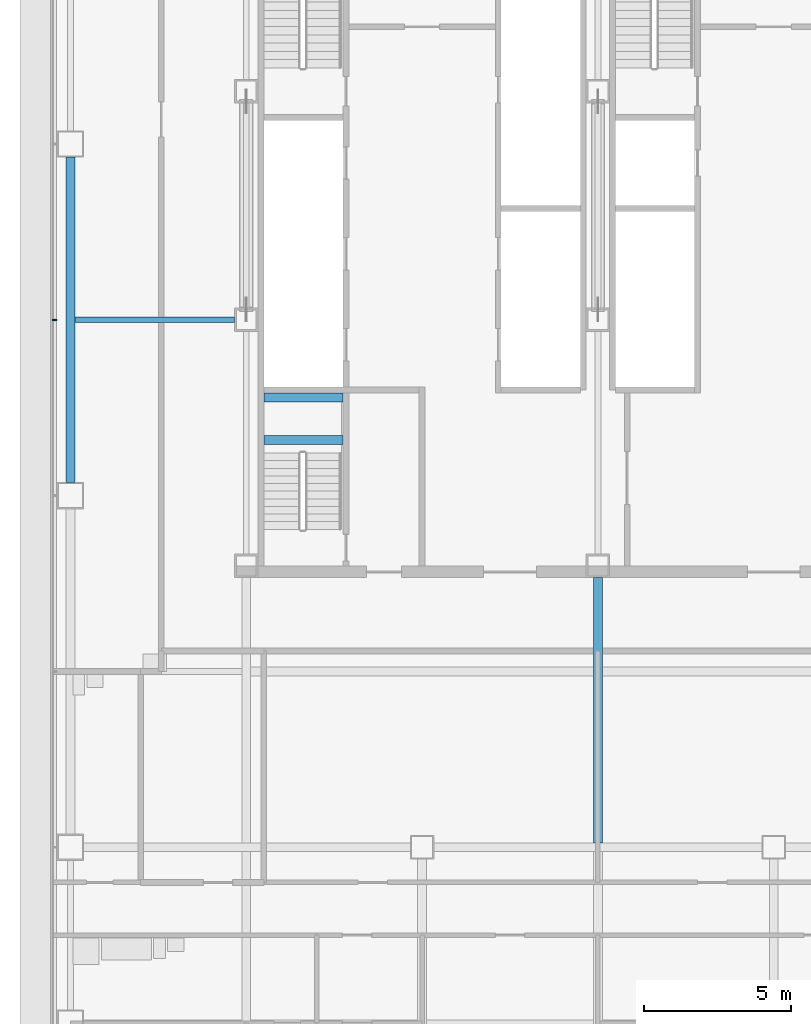
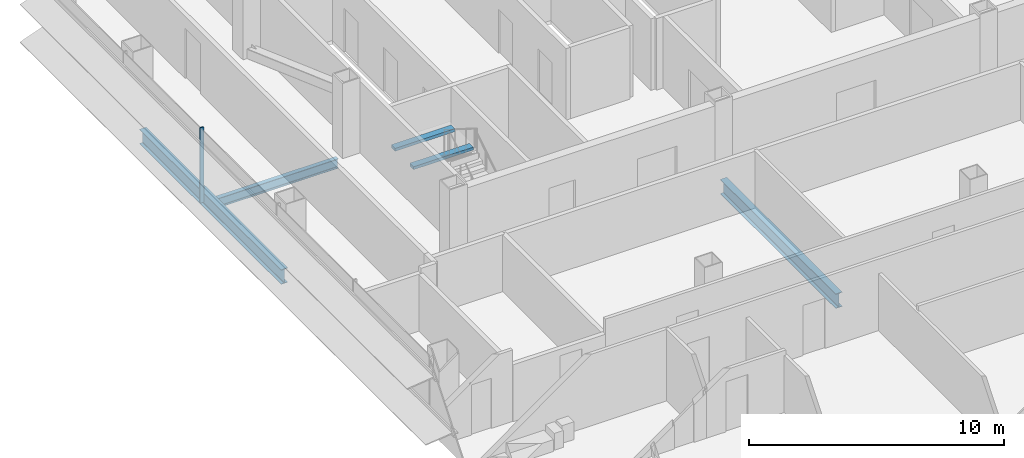
# One storey, part 6 of 27: 5 beams, 1 member, 1 element without a shape of its own.
"""IFC4 building model written with IfcOpenShell, lengths in metres."""

from ifc_helpers import new_model, si_unit, direction, frame, origin, origin_2d, place, context, subcontext, project, spatial, rectangle, i_section, extrude, material, material_profile, profile_set, type_object, element, aggregate, save


model = new_model("IFC4")

# Units and contexts
model_context = context("Model", 3, precision=1e-05, world=origin(), true_north=direction((0.0, 1.0)))
body_context = subcontext(model_context, "Body", "Model", "MODEL_VIEW")
ifc_project = project(units=[si_unit("LENGTHUNIT", "METRE"), si_unit("AREAUNIT", "SQUARE_METRE"), si_unit("VOLUMEUNIT", "CUBIC_METRE"), si_unit("PLANEANGLEUNIT", "RADIAN"), si_unit("MASSUNIT", "GRAM", prefix="KILO")], contexts=[model_context])

# Site, building, storey
site_placement = place(None, origin())
site = spatial("IfcSite", under=ifc_project, at=site_placement, CompositionType="ELEMENT")
building_placement = place(site_placement, origin())
building = spatial("IfcBuilding", under=site, at=building_placement, Name="Sorahane Residences", CompositionType="ELEMENT")
storey_placement = place(building_placement, frame((0.0, 0.0, 53.39990234375)))
storey = spatial("IfcBuildingStorey", under=building, at=storey_placement, Name="L09", CompositionType="ELEMENT", Elevation=53.39990234375)

# Curtain wall, member
ifc_material_1 = material(Name="Dark low-e glass and black anodised aluminium", Category="aluminium")
curtain_wall_type = type_object("IfcCurtainWallType", Name="Curtain wall CW-1 Typical unitised wall", PredefinedType="NOTDEFINED", material=ifc_material_1)
curtain_wall_placement = place(storey_placement, origin())
curtain_wall = element("IfcCurtainWall", 1, at=curtain_wall_placement, inside=storey, type_object=curtain_wall_type, Name="CW-1 curtain wall L09 W1", PredefinedType="NOTDEFINED")
ifc_material_2 = material(Name="Black anodised aluminium", Category="aluminium")
ifc_material_profile_1 = material_profile(ifc_material_2, rectangle(XDim=0.159912109375, YDim=0.050048828125, at=origin_2d()), Name="Curtain wall mullion CW-1 black anodised aluminium 50x160")
ifc_profile_set_1 = profile_set([ifc_material_profile_1], Name="Black anodised aluminium")
member_type = type_object("IfcMemberType", Name="Curtain wall mullion CW-1 black anodised aluminium 50x160", PredefinedType="MULLION", material=ifc_profile_set_1)
member_placement = place(storey_placement, frame((-0.5400390625, 30.0, -0.179931640625), z_axis=(0.0, 0.0, 1.0), x_axis=(-1.0, 0.0, 0.0)))
member = element("IfcMember", 2, at=member_placement, type_object=member_type, Name="CW-1 mullion L09 W1.3", PredefinedType="MULLION", context=body_context, shape_type="SweptSolid", body=[
    extrude(rectangle(XDim=0.159912109375, YDim=0.050048828125, at=origin_2d()), origin(), (0.0, 0.0, 1.0), 3.60009765625),
])
aggregate(curtain_wall, [member])

# Beams
ifc_material_3 = material(Name="Concrete C40", Category="concrete")
ifc_material_profile_2 = material_profile(ifc_material_3, rectangle(XDim=0.300048828125, YDim=0.139892578125, at=origin_2d()), Name="300x140")
ifc_profile_set_2 = profile_set([ifc_material_profile_2], Name="Concrete C40")
beam_type_1 = type_object("IfcBeamType", Name="RC landing beam 300 x 140 Concrete C40", PredefinedType="BEAM", material=ifc_profile_set_2)
for number, where, z_axis, x_axis, name in (
    (3, (6.60009765625, 25.89990234375, 1.530029296875), (1.0, 0.0, 0.0), (0.0, 1.0, 0.0), "Landing beam"),
    (4, (6.60009765625, 27.35009765625, 1.530029296875), (1.0, 0.0, 0.0), (0.0, 1.0, 0.0), "Landing beam"),
):
    element("IfcBeam", number, at=place(storey_placement, frame(where, z_axis=z_axis, x_axis=x_axis)), inside=storey, type_object=beam_type_1, Name=name, PredefinedType="BEAM", context=body_context, shape_type="SweptSolid", body=[
        extrude(rectangle(XDim=0.300048828125, YDim=0.139892578125, at=origin_2d()), origin(), (0.0, 0.0, 1.0), 2.699951171875),
    ])
ifc_material_4 = material(Name="Steel Q355B", Category="steel")
ifc_material_profile_3 = material_profile(ifc_material_4, i_section(OverallWidth=0.199951171875, OverallDepth=0.449951171875, WebThickness=0.009033203125, FlangeThickness=0.013916015625, FilletRadius=0.02001953125, at=origin_2d()), Name="HN 450x200x9x14")
ifc_profile_set_3 = profile_set([ifc_material_profile_3], Name="Steel Q355B")
beam_type_2 = type_object("IfcBeamType", Name="Steel floor beam HN 450x200x9x14 Q355B", PredefinedType="BEAM", material=ifc_profile_set_3)
beam_1_placement = place(storey_placement, frame((0.14990234375, 30.0, -0.40478515625), z_axis=(1.0, 0.0, 0.0), x_axis=(0.0, 1.0, 0.0)))
element("IfcBeam", 5, at=beam_1_placement, inside=storey, type_object=beam_type_2, Name="Beam L09 076", PredefinedType="BEAM", context=body_context, shape_type="SweptSolid", body=[
    extrude(i_section(OverallWidth=0.199951171875, OverallDepth=0.449951171875, WebThickness=0.009033203125, FlangeThickness=0.013916015625, FilletRadius=0.02001953125, at=origin_2d()), origin(), (0.0, 0.0, 1.0), 5.4501953125),
])
ifc_material_5 = material(Name="Steel Q355B", Category="steel")
ifc_material_profile_4 = material_profile(ifc_material_5, i_section(OverallWidth=0.300048828125, OverallDepth=0.699951171875, WebThickness=0.012939453125, FlangeThickness=0.02392578125, FilletRadius=0.028076171875, at=origin_2d()), Name="HN 700x300x13x24")
ifc_profile_set_4 = profile_set([ifc_material_profile_4], Name="Steel Q355B")
beam_type_3 = type_object("IfcBeamType", Name="Steel floor beam HN 700x300x13x24 Q355B", PredefinedType="BEAM", material=ifc_profile_set_4)
beam_2_placement = place(storey_placement, frame((0.0, 24.449951171875, -0.52978515625), z_axis=(0.0, 1.0, 0.0), x_axis=(-1.0, 0.0, 0.0)))
element("IfcBeam", 6, at=beam_2_placement, inside=storey, type_object=beam_type_3, Name="Beam L09 019", PredefinedType="BEAM", context=body_context, shape_type="SweptSolid", body=[
    extrude(i_section(OverallWidth=0.300048828125, OverallDepth=0.699951171875, WebThickness=0.012939453125, FlangeThickness=0.02392578125, FilletRadius=0.028076171875, at=origin_2d()), origin(), (0.0, 0.0, 1.0), 11.10009765625),
])
beam_3_placement = place(storey_placement, frame((18.0, 12.14990234375, -0.52978515625), z_axis=(0.0, 1.0, 0.0), x_axis=(-1.0, 0.0, 0.0)))
element("IfcBeam", 7, at=beam_3_placement, inside=storey, type_object=beam_type_3, Name="Beam L09 030", PredefinedType="BEAM", context=body_context, shape_type="SweptSolid", body=[
    extrude(i_section(OverallWidth=0.300048828125, OverallDepth=0.699951171875, WebThickness=0.012939453125, FlangeThickness=0.02392578125, FilletRadius=0.028076171875, at=origin_2d()), origin(), (0.0, 0.0, 1.0), 9.050048828125),
])

save(model, "model.ifc")
